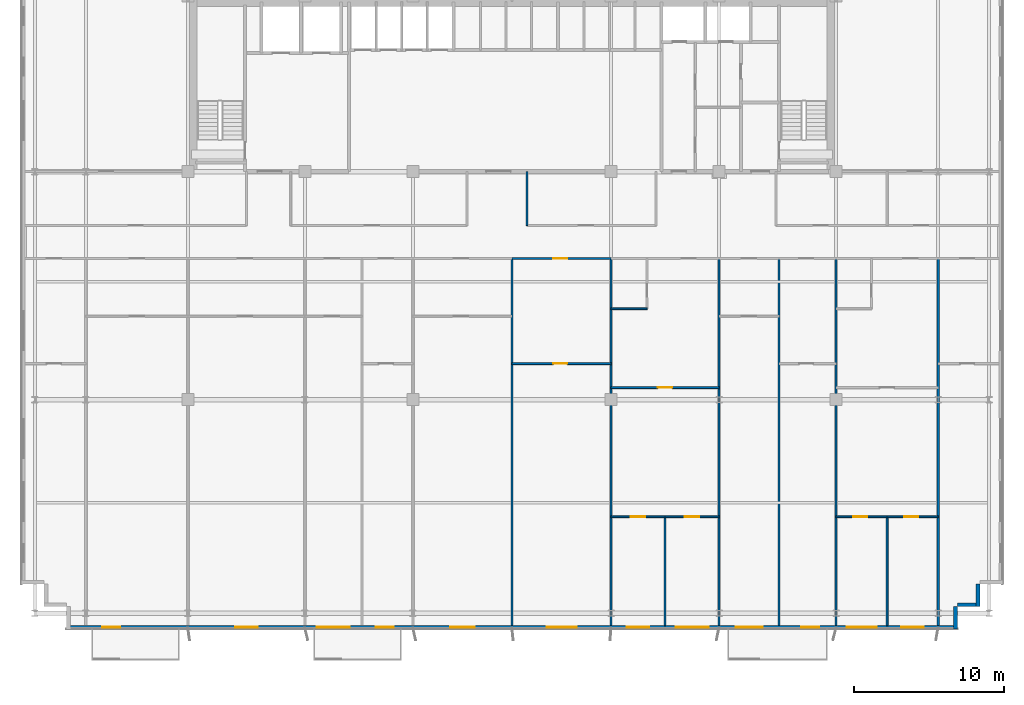
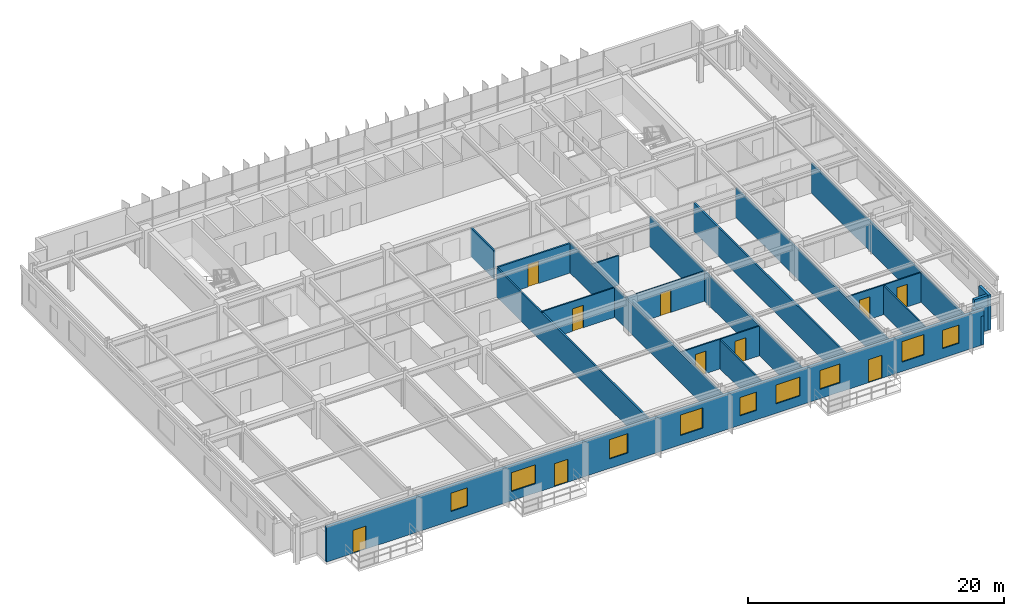
# One storey, part 15 of 21: 21 walls, 10 doors, 9 windows, 19 openings.
"""IFC4 building model written with IfcOpenShell, lengths in metres."""

from ifc_helpers import new_model, si_unit, direction, frame, frame_2d, origin, place, context, subcontext, project, spatial, rectangle, extrude, source, transform, mapped, material, layer, layer_set, type_object, element, fill, save


model = new_model("IFC4")

# Units and contexts
model_context = context("Model", 3, precision=1e-05, world=origin(), true_north=direction((0.0, 1.0)))
body_context = subcontext(model_context, "Body", "Model", "MODEL_VIEW")
ifc_project = project(units=[si_unit("LENGTHUNIT", "METRE"), si_unit("AREAUNIT", "SQUARE_METRE"), si_unit("VOLUMEUNIT", "CUBIC_METRE"), si_unit("PLANEANGLEUNIT", "RADIAN"), si_unit("MASSUNIT", "GRAM", prefix="KILO")], contexts=[model_context])

# Site, building, storey
site_placement = place(None, origin())
site = spatial("IfcSite", under=ifc_project, at=site_placement, CompositionType="ELEMENT")
building_placement = place(site_placement, origin())
building = spatial("IfcBuilding", under=site, at=building_placement, Name="Trelvane Seafront Commons", CompositionType="ELEMENT")
storey_placement = place(building_placement, frame((0.0, 0.0, 103.300048828125)))
storey = spatial("IfcBuildingStorey", under=building, at=storey_placement, Name="L26", CompositionType="ELEMENT", Elevation=103.300048828125)

# Walls
ifc_material_1 = material(Name="Precast concrete C40/50", Category="concrete")
ifc_layer_1 = layer(ifc_material_1, 0.260009765625, Name="ARCH-WALL-EXT260")
ifc_layer_set_1 = layer_set([ifc_layer_1], Name="Precast concrete C40/50")
wall_type_1 = type_object("IfcWallType", Name="ARCH-WALL-EXT260", PredefinedType="SOLIDWALL", material=ifc_layer_set_1)
for number, where, z_axis, x_axis, name in (
    (1, (68.27001953125, 5.89990234375, 0.0), (0.0, 0.0, 1.0), (0.0, -1.0, 0.0), "EW-L26-00491"),
    (2, (68.39990234375, 4.530029296875, 0.0), (0.0, 0.0, 1.0), (-1.0, 0.0, 0.0), "EW-L26-00492"),
):
    element("IfcWall", number, at=place(storey_placement, frame(where, z_axis=z_axis, x_axis=x_axis)), inside=storey, type_object=wall_type_1, Name=name, PredefinedType="SOLIDWALL", context=body_context, shape_type="SweptSolid", body=[
        extrude(rectangle(XDim=1.5, YDim=0.260009765625, at=frame_2d((0.75, 0.0))), origin(), (0.0, 0.0, 1.0), 3.33984375),
    ])
wall_1_placement = place(storey_placement, frame((66.77001953125, 4.39990234375, 0.0), z_axis=(0.0, 0.0, 1.0), x_axis=(0.0, -1.0, 0.0)))
element("IfcWall", 3, at=wall_1_placement, inside=storey, type_object=wall_type_1, Name="EW-L26-00493", PredefinedType="SOLIDWALL", context=body_context, shape_type="SweptSolid", body=[
    extrude(rectangle(XDim=1.5, YDim=0.260009765625, at=frame_2d((0.75, 0.0))), origin(), (0.0, 0.0, 1.0), 2.751953125),
])

# Wall, openings, doors, windows
wall_2_placement = place(storey_placement, frame((66.89990234375, 3.030029296875, 0.0), z_axis=(0.0, 0.0, 1.0), x_axis=(-1.0, 0.0, 0.0)))
wall_2 = element("IfcWall", 4, at=wall_2_placement, inside=storey, type_object=wall_type_1, Name="EW-L26-00494", PredefinedType="SOLIDWALL", context=body_context, shape_type="SweptSolid", body=[
    extrude(rectangle(XDim=59.39990234375, YDim=0.260009765625, at=frame_2d((29.699951171875, 0.0))), origin(), (0.0, 0.0, 1.0), 3.33984375),
])
opening_1_placement = place(wall_2_placement, frame((2.25, 0.0, 0.89990234375)))
opening_1 = element("IfcOpeningElement", 5, at=opening_1_placement, cuts=wall_2, Name="Opening W03", PredefinedType="OPENING", context=body_context, shape_type="SweptSolid", body=[
    extrude(rectangle(XDim=1.5, YDim=1.75, at=frame_2d((0.75, 0.875))), frame((0.0, 0.139892578125, 0.0), z_axis=(0.0, -1.0, 0.0), x_axis=(1.0, 0.0, 0.0)), (0.0, 0.0, 1.0), 0.280029296875),
])
opening_2_placement = place(wall_2_placement, frame((5.39990234375, 0.0, 0.89990234375)))
opening_2 = element("IfcOpeningElement", 6, at=opening_2_placement, cuts=wall_2, Name="Opening W06", PredefinedType="OPENING", context=body_context, shape_type="SweptSolid", body=[
    extrude(rectangle(XDim=2.0, YDim=1.949951171875, at=frame_2d((1.0, 0.97509765625))), frame((0.0, 0.139892578125, 0.0), z_axis=(0.0, -1.0, 0.0), x_axis=(1.0, 0.0, 0.0)), (0.0, 0.0, 1.0), 0.280029296875),
])
opening_3_placement = place(wall_2_placement, frame((9.212890625, 0.0, 0.0)))
opening_3 = element("IfcOpeningElement", 7, at=opening_3_placement, cuts=wall_2, Name="Opening BD-L26-61", PredefinedType="OPENING", context=body_context, shape_type="SweptSolid", body=[
    extrude(rectangle(XDim=1.199951171875, YDim=2.199951171875, at=frame_2d((0.60009765625, 1.10009765625))), frame((0.0, 0.139892578125, 0.0), z_axis=(0.0, -1.0, 0.0), x_axis=(1.0, 0.0, 0.0)), (0.0, 0.0, 1.0), 0.280029296875),
])
opening_4_placement = place(wall_2_placement, frame((13.0, 0.0, 0.89990234375)))
opening_4 = element("IfcOpeningElement", 8, at=opening_4_placement, cuts=wall_2, Name="Opening W01", PredefinedType="OPENING", context=body_context, shape_type="SweptSolid", body=[
    extrude(rectangle(XDim=1.800048828125, YDim=1.800048828125, at=frame_2d((0.89990234375, 0.89990234375))), frame((0.0, 0.139892578125, 0.0), z_axis=(0.0, -1.0, 0.0), x_axis=(1.0, 0.0, 0.0)), (0.0, 0.0, 1.0), 0.280029296875),
])
opening_5_placement = place(wall_2_placement, frame((16.60009765625, 0.0, 0.89990234375)))
opening_5 = element("IfcOpeningElement", 9, at=opening_5_placement, cuts=wall_2, Name="Opening W02", PredefinedType="OPENING", context=body_context, shape_type="SweptSolid", body=[
    extrude(rectangle(XDim=2.199951171875, YDim=1.800048828125, at=frame_2d((1.10009765625, 0.89990234375))), frame((0.0, 0.139892578125, 0.0), z_axis=(0.0, -1.0, 0.0), x_axis=(1.0, 0.0, 0.0)), (0.0, 0.0, 1.0), 0.280029296875),
])
opening_6_placement = place(wall_2_placement, frame((20.550048828125, 0.0, 0.89990234375)))
opening_6 = element("IfcOpeningElement", 10, at=opening_6_placement, cuts=wall_2, Name="Opening W03", PredefinedType="OPENING", context=body_context, shape_type="SweptSolid", body=[
    extrude(rectangle(XDim=1.5, YDim=1.75, at=frame_2d((0.75, 0.875))), frame((0.0, 0.139892578125, 0.0), z_axis=(0.0, -1.0, 0.0), x_axis=(1.0, 0.0, 0.0)), (0.0, 0.0, 1.0), 0.280029296875),
])
opening_7_placement = place(wall_2_placement, frame((25.39990234375, 0.0, 0.89990234375)))
opening_7 = element("IfcOpeningElement", 11, at=opening_7_placement, cuts=wall_2, Name="Opening W06", PredefinedType="OPENING", context=body_context, shape_type="SweptSolid", body=[
    extrude(rectangle(XDim=2.0, YDim=1.949951171875, at=frame_2d((1.0, 0.97509765625))), frame((0.0, 0.139892578125, 0.0), z_axis=(0.0, -1.0, 0.0), x_axis=(1.0, 0.0, 0.0)), (0.0, 0.0, 1.0), 0.280029296875),
])
opening_8_placement = place(wall_2_placement, frame((32.175048828125, 0.0, 0.89990234375)))
opening_8 = element("IfcOpeningElement", 12, at=opening_8_placement, cuts=wall_2, Name="Opening W07", PredefinedType="OPENING", context=body_context, shape_type="SweptSolid", body=[
    extrude(rectangle(XDim=1.64990234375, YDim=1.85009765625, at=frame_2d((0.824951171875, 0.925048828125))), frame((0.0, 0.139892578125, 0.0), z_axis=(0.0, -1.0, 0.0), x_axis=(1.0, 0.0, 0.0)), (0.0, 0.0, 1.0), 0.280029296875),
])
opening_9_placement = place(wall_2_placement, frame((37.583984375, 0.0, 0.0)))
opening_9 = element("IfcOpeningElement", 13, at=opening_9_placement, cuts=wall_2, Name="Opening BD-L26-62", PredefinedType="OPENING", context=body_context, shape_type="SweptSolid", body=[
    extrude(rectangle(XDim=1.199951171875, YDim=2.199951171875, at=frame_2d((0.60009765625, 1.10009765625))), frame((0.0, 0.139892578125, 0.0), z_axis=(0.0, -1.0, 0.0), x_axis=(1.0, 0.0, 0.0)), (0.0, 0.0, 1.0), 0.280029296875),
])
opening_10_placement = place(wall_2_placement, frame((40.5, 0.0, 0.89990234375)))
opening_10 = element("IfcOpeningElement", 14, at=opening_10_placement, cuts=wall_2, Name="Opening W02", PredefinedType="OPENING", context=body_context, shape_type="SweptSolid", body=[
    extrude(rectangle(XDim=2.199951171875, YDim=1.800048828125, at=frame_2d((1.10009765625, 0.89990234375))), frame((0.0, 0.139892578125, 0.0), z_axis=(0.0, -1.0, 0.0), x_axis=(1.0, 0.0, 0.0)), (0.0, 0.0, 1.0), 0.280029296875),
])
opening_11_placement = place(wall_2_placement, frame((46.64990234375, 0.0, 0.89990234375)))
opening_11 = element("IfcOpeningElement", 15, at=opening_11_placement, cuts=wall_2, Name="Opening W03", PredefinedType="OPENING", context=body_context, shape_type="SweptSolid", body=[
    extrude(rectangle(XDim=1.5, YDim=1.75, at=frame_2d((0.75, 0.875))), frame((0.0, 0.139892578125, 0.0), z_axis=(0.0, -1.0, 0.0), x_axis=(1.0, 0.0, 0.0)), (0.0, 0.0, 1.0), 0.280029296875),
])
opening_12_placement = place(wall_2_placement, frame((55.81689453125, 0.0, 0.0)))
opening_12 = element("IfcOpeningElement", 16, at=opening_12_placement, cuts=wall_2, Name="Opening BD-L26-63", PredefinedType="OPENING", context=body_context, shape_type="SweptSolid", body=[
    extrude(rectangle(XDim=1.199951171875, YDim=2.199951171875, at=frame_2d((0.60009765625, 1.10009765625))), frame((0.0, 0.139892578125, 0.0), z_axis=(0.0, -1.0, 0.0), x_axis=(1.0, 0.0, 0.0)), (0.0, 0.0, 1.0), 0.280029296875),
])
ifc_material_2 = material(Name="Powder-coated aluminium frame", Category="aluminium")
door_type_1 = type_object("IfcDoorType", Name="ARCH-DR-BAL1200", OperationType="NOTDEFINED", PredefinedType="DOOR", material=ifc_material_2)
shared_shape_1 = source(origin(), body_context, "Body", "SweptSolid", [
    extrude(rectangle(XDim=1.199951171875, YDim=2.199951171875, at=frame_2d((0.60009765625, 1.10009765625))), frame((0.0, 0.02490234375, 0.0), z_axis=(0.0, -1.0, 0.0), x_axis=(1.0, 0.0, 0.0)), (0.0, 0.0, 1.0), 0.050048828125),
])
door_1_placement = place(opening_3_placement, origin())
door_1 = element("IfcDoor", 17, at=door_1_placement, inside=storey, type_object=door_type_1, Name="L26 Balcony Terrace Access Door", OperationType="SINGLE_SWING_LEFT", OverallHeight=2.199951171875, OverallWidth=1.199951171875, PredefinedType="DOOR", context=body_context, shape_type="MappedRepresentation", body=[
    mapped(shared_shape_1, transform((0.0, 0.0, 0.0), x_axis=(1.0, 0.0, 0.0), y_axis=(0.0, 1.0, 0.0), z_axis=(0.0, 0.0, 1.0), scale=1.0)),
])
fill(opening_3, door_1)
door_2_placement = place(opening_9_placement, origin())
door_2 = element("IfcDoor", 18, at=door_2_placement, inside=storey, type_object=door_type_1, Name="L26 Balcony Terrace Access Door", OperationType="SINGLE_SWING_LEFT", OverallHeight=2.199951171875, OverallWidth=1.199951171875, PredefinedType="DOOR", context=body_context, shape_type="MappedRepresentation", body=[
    mapped(shared_shape_1, transform((0.0, 0.0, 0.0), x_axis=(1.0, 0.0, 0.0), y_axis=(0.0, 1.0, 0.0), z_axis=(0.0, 0.0, 1.0), scale=1.0)),
])
fill(opening_9, door_2)
door_3_placement = place(opening_12_placement, origin())
door_3 = element("IfcDoor", 19, at=door_3_placement, inside=storey, type_object=door_type_1, Name="L26 Balcony Terrace Access Door", OperationType="SINGLE_SWING_LEFT", OverallHeight=2.199951171875, OverallWidth=1.199951171875, PredefinedType="DOOR", context=body_context, shape_type="MappedRepresentation", body=[
    mapped(shared_shape_1, transform((0.0, 0.0, 0.0), x_axis=(1.0, 0.0, 0.0), y_axis=(0.0, 1.0, 0.0), z_axis=(0.0, 0.0, 1.0), scale=1.0)),
])
fill(opening_12, door_3)
ifc_material_3 = material(Name="Low-E coastal double glazing", Category="glass")
window_type_1 = type_object("IfcWindowType", Name="ARCH-WIN-W02", PartitioningType="SINGLE_PANEL", PredefinedType="WINDOW", material=ifc_material_3)
shared_shape_2 = source(origin(), body_context, "Body", "SweptSolid", [
    extrude(rectangle(XDim=2.199951171875, YDim=1.800048828125, at=frame_2d((1.10009765625, 0.89990234375))), frame((0.0, 0.030029296875, 0.0), z_axis=(0.0, -1.0, 0.0), x_axis=(1.0, 0.0, 0.0)), (0.0, 0.0, 1.0), 0.06005859375),
])
window_1_placement = place(opening_5_placement, origin())
window_1 = element("IfcWindow", 20, at=window_1_placement, inside=storey, type_object=window_type_1, Name="WIN-L26-00579", OverallHeight=1.800048828125, OverallWidth=2.199951171875, PartitioningType="SINGLE_PANEL", PredefinedType="WINDOW", context=body_context, shape_type="MappedRepresentation", body=[
    mapped(shared_shape_2, transform((0.0, 0.0, 0.0), x_axis=(1.0, 0.0, 0.0), y_axis=(0.0, 1.0, 0.0), z_axis=(0.0, 0.0, 1.0), scale=1.0)),
])
fill(opening_5, window_1)
window_2_placement = place(opening_10_placement, origin())
window_2 = element("IfcWindow", 21, at=window_2_placement, inside=storey, type_object=window_type_1, Name="WIN-L26-00583", OverallHeight=1.800048828125, OverallWidth=2.199951171875, PartitioningType="SINGLE_PANEL", PredefinedType="WINDOW", context=body_context, shape_type="MappedRepresentation", body=[
    mapped(shared_shape_2, transform((0.0, 0.0, 0.0), x_axis=(1.0, 0.0, 0.0), y_axis=(0.0, 1.0, 0.0), z_axis=(0.0, 0.0, 1.0), scale=1.0)),
])
fill(opening_10, window_2)
window_type_2 = type_object("IfcWindowType", Name="ARCH-WIN-W03", PartitioningType="SINGLE_PANEL", PredefinedType="WINDOW", material=ifc_material_3)
shared_shape_3 = source(origin(), body_context, "Body", "SweptSolid", [
    extrude(rectangle(XDim=1.5, YDim=1.75, at=frame_2d((0.75, 0.875))), frame((0.0, 0.030029296875, 0.0), z_axis=(0.0, -1.0, 0.0), x_axis=(1.0, 0.0, 0.0)), (0.0, 0.0, 1.0), 0.06005859375),
])
window_3_placement = place(opening_1_placement, origin())
window_3 = element("IfcWindow", 22, at=window_3_placement, inside=storey, type_object=window_type_2, Name="WIN-L26-00576", OverallHeight=1.75, OverallWidth=1.5, PartitioningType="SINGLE_PANEL", PredefinedType="WINDOW", context=body_context, shape_type="MappedRepresentation", body=[
    mapped(shared_shape_3, transform((0.0, 0.0, 0.0), x_axis=(1.0, 0.0, 0.0), y_axis=(0.0, 1.0, 0.0), z_axis=(0.0, 0.0, 1.0), scale=1.0)),
])
fill(opening_1, window_3)
window_4_placement = place(opening_6_placement, origin())
window_4 = element("IfcWindow", 23, at=window_4_placement, inside=storey, type_object=window_type_2, Name="WIN-L26-00580", OverallHeight=1.75, OverallWidth=1.5, PartitioningType="SINGLE_PANEL", PredefinedType="WINDOW", context=body_context, shape_type="MappedRepresentation", body=[
    mapped(shared_shape_3, transform((0.0, 0.0, 0.0), x_axis=(1.0, 0.0, 0.0), y_axis=(0.0, 1.0, 0.0), z_axis=(0.0, 0.0, 1.0), scale=1.0)),
])
fill(opening_6, window_4)
window_5_placement = place(opening_11_placement, origin())
window_5 = element("IfcWindow", 24, at=window_5_placement, inside=storey, type_object=window_type_2, Name="WIN-L26-00584", OverallHeight=1.75, OverallWidth=1.5, PartitioningType="SINGLE_PANEL", PredefinedType="WINDOW", context=body_context, shape_type="MappedRepresentation", body=[
    mapped(shared_shape_3, transform((0.0, 0.0, 0.0), x_axis=(1.0, 0.0, 0.0), y_axis=(0.0, 1.0, 0.0), z_axis=(0.0, 0.0, 1.0), scale=1.0)),
])
fill(opening_11, window_5)
window_type_3 = type_object("IfcWindowType", Name="ARCH-WIN-W06", PartitioningType="SINGLE_PANEL", PredefinedType="WINDOW", material=ifc_material_3)
shared_shape_4 = source(origin(), body_context, "Body", "SweptSolid", [
    extrude(rectangle(XDim=2.0, YDim=1.949951171875, at=frame_2d((1.0, 0.97509765625))), frame((0.0, 0.030029296875, 0.0), z_axis=(0.0, -1.0, 0.0), x_axis=(1.0, 0.0, 0.0)), (0.0, 0.0, 1.0), 0.06005859375),
])
window_6_placement = place(opening_2_placement, origin())
window_6 = element("IfcWindow", 25, at=window_6_placement, inside=storey, type_object=window_type_3, Name="WIN-L26-00577", OverallHeight=1.949951171875, OverallWidth=2.0, PartitioningType="SINGLE_PANEL", PredefinedType="WINDOW", context=body_context, shape_type="MappedRepresentation", body=[
    mapped(shared_shape_4, transform((0.0, 0.0, 0.0), x_axis=(1.0, 0.0, 0.0), y_axis=(0.0, 1.0, 0.0), z_axis=(0.0, 0.0, 1.0), scale=1.0)),
])
fill(opening_2, window_6)
window_7_placement = place(opening_7_placement, origin())
window_7 = element("IfcWindow", 26, at=window_7_placement, inside=storey, type_object=window_type_3, Name="WIN-L26-00581", OverallHeight=1.949951171875, OverallWidth=2.0, PartitioningType="SINGLE_PANEL", PredefinedType="WINDOW", context=body_context, shape_type="MappedRepresentation", body=[
    mapped(shared_shape_4, transform((0.0, 0.0, 0.0), x_axis=(1.0, 0.0, 0.0), y_axis=(0.0, 1.0, 0.0), z_axis=(0.0, 0.0, 1.0), scale=1.0)),
])
fill(opening_7, window_7)
window_type_4 = type_object("IfcWindowType", Name="ARCH-WIN-W01", PartitioningType="SINGLE_PANEL", PredefinedType="WINDOW", material=ifc_material_3)
shared_shape_5 = source(origin(), body_context, "Body", "SweptSolid", [
    extrude(rectangle(XDim=1.800048828125, YDim=1.800048828125, at=frame_2d((0.89990234375, 0.89990234375))), frame((0.0, 0.030029296875, 0.0), z_axis=(0.0, -1.0, 0.0), x_axis=(1.0, 0.0, 0.0)), (0.0, 0.0, 1.0), 0.06005859375),
])
window_8_placement = place(opening_4_placement, origin())
window_8 = element("IfcWindow", 27, at=window_8_placement, inside=storey, type_object=window_type_4, Name="WIN-L26-00578", OverallHeight=1.800048828125, OverallWidth=1.800048828125, PartitioningType="SINGLE_PANEL", PredefinedType="WINDOW", context=body_context, shape_type="MappedRepresentation", body=[
    mapped(shared_shape_5, transform((0.0, 0.0, 0.0), x_axis=(1.0, 0.0, 0.0), y_axis=(0.0, 1.0, 0.0), z_axis=(0.0, 0.0, 1.0), scale=1.0)),
])
fill(opening_4, window_8)
window_type_5 = type_object("IfcWindowType", Name="ARCH-WIN-W07", PartitioningType="SINGLE_PANEL", PredefinedType="WINDOW", material=ifc_material_3)
shared_shape_6 = source(origin(), body_context, "Body", "SweptSolid", [
    extrude(rectangle(XDim=1.64990234375, YDim=1.85009765625, at=frame_2d((0.824951171875, 0.925048828125))), frame((0.0, 0.030029296875, 0.0), z_axis=(0.0, -1.0, 0.0), x_axis=(1.0, 0.0, 0.0)), (0.0, 0.0, 1.0), 0.06005859375),
])
window_9_placement = place(opening_8_placement, origin())
window_9 = element("IfcWindow", 28, at=window_9_placement, inside=storey, type_object=window_type_5, Name="WIN-L26-00582", OverallHeight=1.85009765625, OverallWidth=1.64990234375, PartitioningType="SINGLE_PANEL", PredefinedType="WINDOW", context=body_context, shape_type="MappedRepresentation", body=[
    mapped(shared_shape_6, transform((0.0, 0.0, 0.0), x_axis=(1.0, 0.0, 0.0), y_axis=(0.0, 1.0, 0.0), z_axis=(0.0, 0.0, 1.0), scale=1.0)),
])
fill(opening_8, window_9)

# Wall
ifc_material_4 = material(Name="Gypsum Drywall Acoustic Partition")
ifc_layer_2 = layer(ifc_material_4, 0.1201171875, Name="ARCH-WALL-PART120")
ifc_layer_set_2 = layer_set([ifc_layer_2], Name="Gypsum Drywall Acoustic Partition")
wall_type_2 = type_object("IfcWallType", Name="ARCH-WALL-PART120", PredefinedType="PARTITIONING", material=ifc_layer_set_2)
wall_3_placement = place(storey_placement, frame((38.199951171875, 29.800048828125, 0.0), z_axis=(0.0, 0.0, 1.0), x_axis=(0.0, 1.0, 0.0)))
element("IfcWall", 29, at=wall_3_placement, inside=storey, type_object=wall_type_2, Name="W-L26-N-SPUR-M2-046", PredefinedType="PARTITIONING", context=body_context, shape_type="SweptSolid", body=[
    extrude(rectangle(XDim=3.599853515625, YDim=0.1201171875, at=frame_2d((1.7998046875, 0.0))), origin(), (0.0, 0.0, 1.0), 2.751953125),
])

# Wall, opening, door
wall_4_placement = place(storey_placement, frame((37.199951171875, 20.60009765625, 0.0), z_axis=(0.0, 0.0, 1.0), x_axis=(1.0, 0.0, 0.0)))
wall_4 = element("IfcWall", 30, at=wall_4_placement, inside=storey, type_object=wall_type_2, Name="W-L26-U7-DIV-078", PredefinedType="PARTITIONING", context=body_context, shape_type="SweptSolid", body=[
    extrude(rectangle(XDim=6.60009765625, YDim=0.1201171875, at=frame_2d((3.300048828125, 0.0))), origin(), (0.0, 0.0, 1.0), 2.83984375),
])
opening_13_placement = place(wall_4_placement, frame((2.73388671875, 0.0, 0.0)))
opening_13 = element("IfcOpeningElement", 31, at=opening_13_placement, cuts=wall_4, Name="Opening D-L26-41", PredefinedType="OPENING", context=body_context, shape_type="SweptSolid", body=[
    extrude(rectangle(XDim=0.949951171875, YDim=2.14990234375, at=frame_2d((0.47509765625, 1.074951171875))), frame((0.0, 0.070068359375, 0.0), z_axis=(0.0, -1.0, 0.0), x_axis=(1.0, 0.0, 0.0)), (0.0, 0.0, 1.0), 0.14013671875),
])
ifc_material_5 = material(Name="Acoustic timber door leaf", Category="wood")
door_type_2 = type_object("IfcDoorType", Name="ARCH-DR-INT950", OperationType="NOTDEFINED", PredefinedType="DOOR", material=ifc_material_5)
shared_shape_7 = source(origin(), body_context, "Body", "SweptSolid", [
    extrude(rectangle(XDim=0.949951171875, YDim=2.14990234375, at=frame_2d((0.47509765625, 1.074951171875))), frame((0.0, 0.02490234375, 0.0), z_axis=(0.0, -1.0, 0.0), x_axis=(1.0, 0.0, 0.0)), (0.0, 0.0, 1.0), 0.050048828125),
])
door_4_placement = place(opening_13_placement, origin())
door_4 = element("IfcDoor", 32, at=door_4_placement, inside=storey, type_object=door_type_2, Name="L26 Door 41", OperationType="SINGLE_SWING_LEFT", OverallHeight=2.14990234375, OverallWidth=0.949951171875, PredefinedType="DOOR", context=body_context, shape_type="MappedRepresentation", body=[
    mapped(shared_shape_7, transform((0.0, 0.0, 0.0), x_axis=(1.0, 0.0, 0.0), y_axis=(0.0, 1.0, 0.0), z_axis=(0.0, 0.0, 1.0), scale=1.0)),
])
fill(opening_13, door_4)

wall_5_placement = place(storey_placement, frame((43.800048828125, 19.0, 0.0), z_axis=(0.0, 0.0, 1.0), x_axis=(1.0, 0.0, 0.0)))
wall_5 = element("IfcWall", 33, at=wall_5_placement, inside=storey, type_object=wall_type_2, Name="W-L26-U8-KL-079", PredefinedType="PARTITIONING", context=body_context, shape_type="SweptSolid", body=[
    extrude(rectangle(XDim=7.199951171875, YDim=0.1201171875, at=frame_2d((3.60009765625, 0.0))), origin(), (0.0, 0.0, 1.0), 2.83984375),
])
opening_14_placement = place(wall_5_placement, frame((3.125, 0.0, 0.0)))
opening_14 = element("IfcOpeningElement", 34, at=opening_14_placement, cuts=wall_5, Name="Opening D-L26-42", PredefinedType="OPENING", context=body_context, shape_type="SweptSolid", body=[
    extrude(rectangle(XDim=0.949951171875, YDim=2.14990234375, at=frame_2d((0.47509765625, 1.074951171875))), frame((0.0, 0.070068359375, 0.0), z_axis=(0.0, -1.0, 0.0), x_axis=(1.0, 0.0, 0.0)), (0.0, 0.0, 1.0), 0.14013671875),
])
door_5_placement = place(opening_14_placement, origin())
door_5 = element("IfcDoor", 35, at=door_5_placement, inside=storey, type_object=door_type_2, Name="L26 Door 42", OperationType="SINGLE_SWING_RIGHT", OverallHeight=2.14990234375, OverallWidth=0.949951171875, PredefinedType="DOOR", context=body_context, shape_type="MappedRepresentation", body=[
    mapped(shared_shape_7, transform((0.0, 0.0, 0.0), x_axis=(1.0, 0.0, 0.0), y_axis=(0.0, 1.0, 0.0), z_axis=(0.0, 0.0, 1.0), scale=1.0)),
])
fill(opening_14, door_5)

# Wall
wall_6_placement = place(storey_placement, frame((43.800048828125, 24.25, 0.0), z_axis=(0.0, 0.0, 1.0), x_axis=(1.0, 0.0, 0.0)))
element("IfcWall", 36, at=wall_6_placement, inside=storey, type_object=wall_type_2, Name="W-L26-U8-BS-081", PredefinedType="PARTITIONING", context=body_context, shape_type="SweptSolid", body=[
    extrude(rectangle(XDim=2.39990234375, YDim=0.1201171875, at=frame_2d((1.199951171875, 0.0))), origin(), (0.0, 0.0, 1.0), 2.83984375),
])

# Wall, opening, door
wall_7_placement = place(storey_placement, frame((43.800048828125, 10.39990234375, 0.0), z_axis=(0.0, 0.0, 1.0), x_axis=(1.0, 0.0, 0.0)))
wall_7 = element("IfcWall", 37, at=wall_7_placement, inside=storey, type_object=wall_type_2, Name="W-L26-U8-YM-1-083", PredefinedType="PARTITIONING", context=body_context, shape_type="SweptSolid", body=[
    extrude(rectangle(XDim=3.599853515625, YDim=0.1201171875, at=frame_2d((1.7998046875, 0.0))), origin(), (0.0, 0.0, 1.0), 2.83984375),
])
opening_15_placement = place(wall_7_placement, frame((1.324951171875, 0.0, 0.0)))
opening_15 = element("IfcOpeningElement", 38, at=opening_15_placement, cuts=wall_7, Name="Opening D-L26-45", PredefinedType="OPENING", context=body_context, shape_type="SweptSolid", body=[
    extrude(rectangle(XDim=0.949951171875, YDim=2.14990234375, at=frame_2d((0.47509765625, 1.074951171875))), frame((0.0, 0.070068359375, 0.0), z_axis=(0.0, -1.0, 0.0), x_axis=(1.0, 0.0, 0.0)), (0.0, 0.0, 1.0), 0.14013671875),
])
door_6_placement = place(opening_15_placement, origin())
door_6 = element("IfcDoor", 39, at=door_6_placement, inside=storey, type_object=door_type_2, Name="L26 Door 45", OperationType="SINGLE_SWING_LEFT", OverallHeight=2.14990234375, OverallWidth=0.949951171875, PredefinedType="DOOR", context=body_context, shape_type="MappedRepresentation", body=[
    mapped(shared_shape_7, transform((0.0, 0.0, 0.0), x_axis=(1.0, 0.0, 0.0), y_axis=(0.0, 1.0, 0.0), z_axis=(0.0, 0.0, 1.0), scale=1.0)),
])
fill(opening_15, door_6)

wall_8_placement = place(storey_placement, frame((47.39990234375, 10.39990234375, 0.0), z_axis=(0.0, 0.0, 1.0), x_axis=(1.0, 0.0, 0.0)))
wall_8 = element("IfcWall", 40, at=wall_8_placement, inside=storey, type_object=wall_type_2, Name="W-L26-U8-YM-2-084", PredefinedType="PARTITIONING", context=body_context, shape_type="SweptSolid", body=[
    extrude(rectangle(XDim=3.60009765625, YDim=0.1201171875, at=frame_2d((1.800048828125, 0.0))), origin(), (0.0, 0.0, 1.0), 2.83984375),
])
opening_16_placement = place(wall_8_placement, frame((1.324951171875, 0.0, 0.0)))
opening_16 = element("IfcOpeningElement", 41, at=opening_16_placement, cuts=wall_8, Name="Opening D-L26-46", PredefinedType="OPENING", context=body_context, shape_type="SweptSolid", body=[
    extrude(rectangle(XDim=0.949951171875, YDim=2.14990234375, at=frame_2d((0.47509765625, 1.074951171875))), frame((0.0, 0.070068359375, 0.0), z_axis=(0.0, -1.0, 0.0), x_axis=(1.0, 0.0, 0.0)), (0.0, 0.0, 1.0), 0.14013671875),
])
door_7_placement = place(opening_16_placement, origin())
door_7 = element("IfcDoor", 42, at=door_7_placement, inside=storey, type_object=door_type_2, Name="L26 Door 46", OperationType="SINGLE_SWING_RIGHT", OverallHeight=2.14990234375, OverallWidth=0.949951171875, PredefinedType="DOOR", context=body_context, shape_type="MappedRepresentation", body=[
    mapped(shared_shape_7, transform((0.0, 0.0, 0.0), x_axis=(1.0, 0.0, 0.0), y_axis=(0.0, 1.0, 0.0), z_axis=(0.0, 0.0, 1.0), scale=1.0)),
])
fill(opening_16, door_7)

# Wall
wall_9_placement = place(storey_placement, frame((47.39990234375, 3.14501953125, 0.0), z_axis=(0.0, 0.0, 1.0), x_axis=(0.0, 1.0, 0.0)))
element("IfcWall", 43, at=wall_9_placement, inside=storey, type_object=wall_type_2, Name="W-L26-U8-BDV-1-085", PredefinedType="PARTITIONING", context=body_context, shape_type="SweptSolid", body=[
    extrude(rectangle(XDim=7.2548828125, YDim=0.1201171875, at=frame_2d((3.62744140625, 0.0))), origin(), (0.0, 0.0, 1.0), 2.751953125),
])

# Wall, opening, door
wall_10_placement = place(storey_placement, frame((58.800048828125, 10.39990234375, 0.0), z_axis=(0.0, 0.0, 1.0), x_axis=(1.0, 0.0, 0.0)))
wall_10 = element("IfcWall", 44, at=wall_10_placement, inside=storey, type_object=wall_type_2, Name="W-L26-U11-YM-1-094", PredefinedType="PARTITIONING", context=body_context, shape_type="SweptSolid", body=[
    extrude(rectangle(XDim=3.39990234375, YDim=0.1201171875, at=frame_2d((1.699951171875, 0.0))), origin(), (0.0, 0.0, 1.0), 2.83984375),
])
opening_17_placement = place(wall_10_placement, frame((1.131103515625, 0.0, 0.0)))
opening_17 = element("IfcOpeningElement", 45, at=opening_17_placement, cuts=wall_10, Name="Opening D-L26-54", PredefinedType="OPENING", context=body_context, shape_type="SweptSolid", body=[
    extrude(rectangle(XDim=0.949951171875, YDim=2.14990234375, at=frame_2d((0.47509765625, 1.074951171875))), frame((0.0, 0.070068359375, 0.0), z_axis=(0.0, -1.0, 0.0), x_axis=(1.0, 0.0, 0.0)), (0.0, 0.0, 1.0), 0.14013671875),
])
door_8_placement = place(opening_17_placement, origin())
door_8 = element("IfcDoor", 46, at=door_8_placement, inside=storey, type_object=door_type_2, Name="L26 Door 54", OperationType="SINGLE_SWING_RIGHT", OverallHeight=2.14990234375, OverallWidth=0.949951171875, PredefinedType="DOOR", context=body_context, shape_type="MappedRepresentation", body=[
    mapped(shared_shape_7, transform((0.0, 0.0, 0.0), x_axis=(1.0, 0.0, 0.0), y_axis=(0.0, 1.0, 0.0), z_axis=(0.0, 0.0, 1.0), scale=1.0)),
])
fill(opening_17, door_8)

wall_11_placement = place(storey_placement, frame((62.199951171875, 10.39990234375, 0.0), z_axis=(0.0, 0.0, 1.0), x_axis=(1.0, 0.0, 0.0)))
wall_11 = element("IfcWall", 47, at=wall_11_placement, inside=storey, type_object=wall_type_2, Name="W-L26-U11-YM-2-095", PredefinedType="PARTITIONING", context=body_context, shape_type="SweptSolid", body=[
    extrude(rectangle(XDim=3.400146484375, YDim=0.1201171875, at=frame_2d((1.7001953125, 0.0))), origin(), (0.0, 0.0, 1.0), 2.83984375),
])
opening_18_placement = place(wall_11_placement, frame((1.131103515625, 0.0, 0.0)))
opening_18 = element("IfcOpeningElement", 48, at=opening_18_placement, cuts=wall_11, Name="Opening D-L26-55", PredefinedType="OPENING", context=body_context, shape_type="SweptSolid", body=[
    extrude(rectangle(XDim=0.949951171875, YDim=2.14990234375, at=frame_2d((0.47509765625, 1.074951171875))), frame((0.0, 0.070068359375, 0.0), z_axis=(0.0, -1.0, 0.0), x_axis=(1.0, 0.0, 0.0)), (0.0, 0.0, 1.0), 0.14013671875),
])
door_9_placement = place(opening_18_placement, origin())
door_9 = element("IfcDoor", 49, at=door_9_placement, inside=storey, type_object=door_type_2, Name="L26 Door 55", OperationType="SINGLE_SWING_LEFT", OverallHeight=2.14990234375, OverallWidth=0.949951171875, PredefinedType="DOOR", context=body_context, shape_type="MappedRepresentation", body=[
    mapped(shared_shape_7, transform((0.0, 0.0, 0.0), x_axis=(1.0, 0.0, 0.0), y_axis=(0.0, 1.0, 0.0), z_axis=(0.0, 0.0, 1.0), scale=1.0)),
])
fill(opening_18, door_9)

# Walls
wall_12_placement = place(storey_placement, frame((62.199951171875, 3.14501953125, 0.0), z_axis=(0.0, 0.0, 1.0), x_axis=(0.0, 1.0, 0.0)))
element("IfcWall", 50, at=wall_12_placement, inside=storey, type_object=wall_type_2, Name="W-L26-U11-BDV-1-096", PredefinedType="PARTITIONING", context=body_context, shape_type="SweptSolid", body=[
    extrude(rectangle(XDim=7.2548828125, YDim=0.1201171875, at=frame_2d((3.62744140625, 0.0))), origin(), (0.0, 0.0, 1.0), 2.751953125),
])
ifc_layer_3 = layer(ifc_material_4, 0.14990234375, Name="ARCH-WALL-PART150")
ifc_layer_set_3 = layer_set([ifc_layer_3], Name="Gypsum Drywall Acoustic Partition")
wall_type_3 = type_object("IfcWallType", Name="ARCH-WALL-PART150", PredefinedType="PARTITIONING", material=ifc_layer_set_3)
wall_13_placement = place(storey_placement, frame((37.199951171875, 3.14501953125, 0.0), z_axis=(0.0, 0.0, 1.0), x_axis=(0.0, 1.0, 0.0)))
element("IfcWall", 51, at=wall_13_placement, inside=storey, type_object=wall_type_3, Name="W-L26-PW-6-059", PredefinedType="PARTITIONING", context=body_context, shape_type="SweptSolid", body=[
    extrude(rectangle(XDim=24.455078125, YDim=0.14990234375, at=frame_2d((12.2275390625, 0.0))), origin(), (0.0, 0.0, 1.0), 2.751953125),
])
for number, where, z_axis, x_axis, name in (
    (52, (43.800048828125, 3.14501953125, 0.0), (0.0, 0.0, 1.0), (0.0, 1.0, 0.0), "W-L26-PW-7-060"),
    (53, (51.0, 3.14501953125, 0.0), (0.0, 0.0, 1.0), (0.0, 1.0, 0.0), "W-L26-PW-8-061"),
):
    element("IfcWall", number, at=place(storey_placement, frame(where, z_axis=z_axis, x_axis=x_axis)), inside=storey, type_object=wall_type_3, Name=name, PredefinedType="PARTITIONING", context=body_context, shape_type="SweptSolid", body=[
        extrude(rectangle(XDim=24.455078125, YDim=0.14990234375, at=frame_2d((12.2275390625, 0.0))), origin(), (0.0, 0.0, 1.0), 2.83984375),
    ])
wall_14_placement = place(storey_placement, frame((55.0, 3.14501953125, 0.0), z_axis=(0.0, 0.0, 1.0), x_axis=(0.0, 1.0, 0.0)))
element("IfcWall", 54, at=wall_14_placement, inside=storey, type_object=wall_type_3, Name="W-L26-PW-9-062", PredefinedType="PARTITIONING", context=body_context, shape_type="SweptSolid", body=[
    extrude(rectangle(XDim=24.455078125, YDim=0.14990234375, at=frame_2d((12.2275390625, 0.0))), origin(), (0.0, 0.0, 1.0), 2.751953125),
])
for number, where, z_axis, x_axis, name in (
    (55, (58.800048828125, 3.14501953125, 0.0), (0.0, 0.0, 1.0), (0.0, 1.0, 0.0), "W-L26-PW-10-063"),
    (56, (65.60009765625, 3.14501953125, 0.0), (0.0, 0.0, 1.0), (0.0, 1.0, 0.0), "W-L26-PW-11-064"),
):
    element("IfcWall", number, at=place(storey_placement, frame(where, z_axis=z_axis, x_axis=x_axis)), inside=storey, type_object=wall_type_3, Name=name, PredefinedType="PARTITIONING", context=body_context, shape_type="SweptSolid", body=[
        extrude(rectangle(XDim=24.455078125, YDim=0.14990234375, at=frame_2d((12.2275390625, 0.0))), origin(), (0.0, 0.0, 1.0), 2.83984375),
    ])

# Wall, opening, door
wall_15_placement = place(storey_placement, frame((37.199951171875, 27.60009765625, 0.0), z_axis=(0.0, 0.0, 1.0), x_axis=(1.0, 0.0, 0.0)))
wall_15 = element("IfcWall", 57, at=wall_15_placement, inside=storey, type_object=wall_type_3, Name="W-L26-CS-BAY-7-077", PredefinedType="PARTITIONING", context=body_context, shape_type="SweptSolid", body=[
    extrude(rectangle(XDim=6.60009765625, YDim=0.14990234375, at=frame_2d((3.300048828125, 0.0))), origin(), (0.0, 0.0, 1.0), 2.83984375),
])
opening_19_placement = place(wall_15_placement, frame((2.73388671875, 0.0, 0.0)))
opening_19 = element("IfcOpeningElement", 58, at=opening_19_placement, cuts=wall_15, Name="Opening FD-L26-40", PredefinedType="OPENING", context=body_context, shape_type="SweptSolid", body=[
    extrude(rectangle(XDim=0.949951171875, YDim=2.14990234375, at=frame_2d((0.47509765625, 1.074951171875))), frame((0.0, 0.0849609375, 0.0), z_axis=(0.0, -1.0, 0.0), x_axis=(1.0, 0.0, 0.0)), (0.0, 0.0, 1.0), 0.169921875),
])
door_type_3 = type_object("IfcDoorType", Name="ARCH-DR-FD60-950", OperationType="NOTDEFINED", PredefinedType="DOOR", material=ifc_material_2)
door_10_placement = place(opening_19_placement, origin())
door_10 = element("IfcDoor", 59, at=door_10_placement, inside=storey, type_object=door_type_3, Name="L26 Bay 07 Entrance Door", OperationType="SINGLE_SWING_RIGHT", OverallHeight=2.14990234375, OverallWidth=0.949951171875, PredefinedType="DOOR", context=body_context, shape_type="MappedRepresentation", body=[
    mapped(shared_shape_7, transform((0.0, 0.0, 0.0), x_axis=(1.0, 0.0, 0.0), y_axis=(0.0, 1.0, 0.0), z_axis=(0.0, 0.0, 1.0), scale=1.0)),
])
fill(opening_19, door_10)

save(model, "model.ifc")
